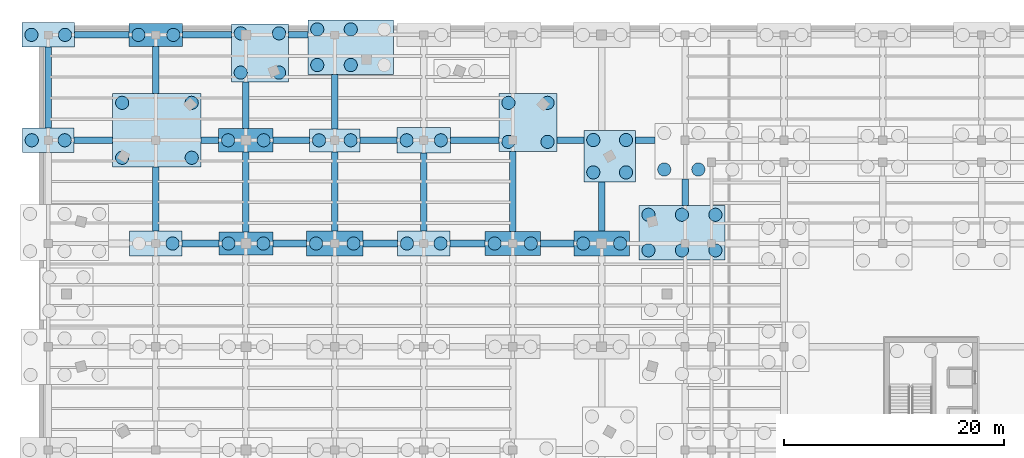
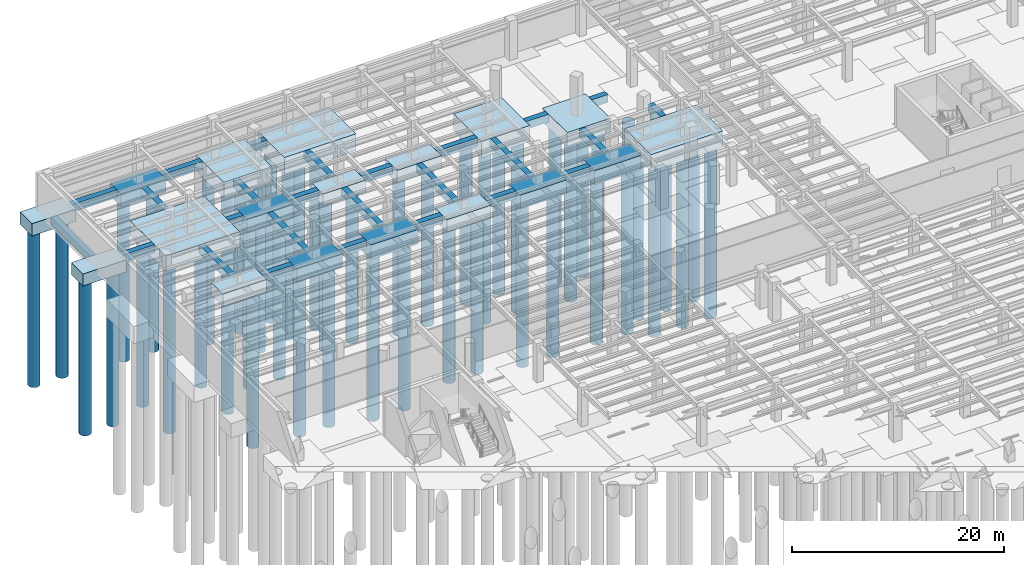
# One storey, part 10 of 49: 51 piles, 44 footings.
"""IFC4 building model written with IfcOpenShell, lengths in metres."""

from ifc_helpers import new_model, si_unit, direction, frame, origin, origin_2d, place, context, subcontext, project, spatial, rectangle, circle, extrude, material, material_profile, profile_set, type_object, element, save


model = new_model("IFC4")

# Units and contexts
model_context = context("Model", 3, precision=1e-05, world=origin(), true_north=direction((0.0, 1.0)))
body_context = subcontext(model_context, "Body", "Model", "MODEL_VIEW")
ifc_project = project(units=[si_unit("LENGTHUNIT", "METRE"), si_unit("AREAUNIT", "SQUARE_METRE"), si_unit("VOLUMEUNIT", "CUBIC_METRE"), si_unit("PLANEANGLEUNIT", "RADIAN"), si_unit("MASSUNIT", "GRAM", prefix="KILO")], contexts=[model_context])

# Site, building, storey
site_placement = place(None, origin())
site = spatial("IfcSite", under=ifc_project, at=site_placement, CompositionType="ELEMENT")
building_placement = place(site_placement, origin())
building = spatial("IfcBuilding", under=site, at=building_placement, Name="Sollismere Congress Hotel", CompositionType="ELEMENT")
storey_placement = place(building_placement, frame((0.0, 0.0, -4.5)))
storey = spatial("IfcBuildingStorey", under=building, at=storey_placement, Name="B1", CompositionType="ELEMENT", Elevation=-4.5)

# Footings
ifc_material = material(Name="Concrete C40/50", Category="concrete")
footing_type_1 = type_object("IfcFootingType", Name="FT-GB600", PredefinedType="FOOTING_BEAM", material=ifc_material)
footing_1_placement = place(storey_placement, frame((13.8701171875, 95.0, -0.89990234375), z_axis=(0.0, 0.0, 1.0), x_axis=(1.0, 0.0, 0.0)))
element("IfcFooting", 1, at=footing_1_placement, inside=storey, type_object=footing_type_1, Name="FTG-GB-165", PredefinedType="FOOTING_BEAM", context=body_context, shape_type="SweptSolid", body=[
    extrude(rectangle(XDim=3.360107421875, YDim=0.60009765625, at=origin_2d()), origin(), (0.0, 0.0, 1.0), 0.89990234375),
])
footing_2_placement = place(storey_placement, frame((21.989990234375, 95.0, -0.89990234375), z_axis=(0.0, 0.0, 1.0), x_axis=(1.0, 0.0, 0.0)))
element("IfcFooting", 2, at=footing_2_placement, inside=storey, type_object=footing_type_1, Name="FTG-GB-166", PredefinedType="FOOTING_BEAM", context=body_context, shape_type="SweptSolid", body=[
    extrude(rectangle(XDim=3.080078125, YDim=0.60009765625, at=origin_2d()), origin(), (0.0, 0.0, 1.0), 0.89990234375),
])
footing_3_placement = place(storey_placement, frame((30.239990234375, 95.0, -0.89990234375), z_axis=(0.0, 0.0, 1.0), x_axis=(1.0, 0.0, 0.0)))
element("IfcFooting", 3, at=footing_3_placement, inside=storey, type_object=footing_type_1, Name="FTG-GB-167", PredefinedType="FOOTING_BEAM", context=body_context, shape_type="SweptSolid", body=[
    extrude(rectangle(XDim=3.139892578125, YDim=0.60009765625, at=origin_2d()), origin(), (0.0, 0.0, 1.0), 0.89990234375),
])
footing_4_placement = place(storey_placement, frame((38.18994140625, 95.0, -0.89990234375), z_axis=(0.0, 0.0, 1.0), x_axis=(1.0, 0.0, 0.0)))
element("IfcFooting", 4, at=footing_4_placement, inside=storey, type_object=footing_type_1, Name="FTG-GB-168", PredefinedType="FOOTING_BEAM", context=body_context, shape_type="SweptSolid", body=[
    extrude(rectangle(XDim=3.199951171875, YDim=0.60009765625, at=origin_2d()), origin(), (0.0, 0.0, 1.0), 0.89990234375),
])
footing_5_placement = place(storey_placement, frame((46.3349609375, 95.0, -0.89990234375), z_axis=(0.0, 0.0, 1.0), x_axis=(1.0, 0.0, 0.0)))
element("IfcFooting", 5, at=footing_5_placement, inside=storey, type_object=footing_type_1, Name="FTG-GB-169", PredefinedType="FOOTING_BEAM", context=body_context, shape_type="SweptSolid", body=[
    extrude(rectangle(XDim=3.050048828125, YDim=0.60009765625, at=origin_2d()), origin(), (0.0, 0.0, 1.0), 0.89990234375),
])
footing_6_placement = place(storey_placement, frame((4.11669921875, 104.39990234375, -0.89990234375), z_axis=(0.0, 0.0, 1.0), x_axis=(1.0, 0.0, 0.0)))
element("IfcFooting", 6, at=footing_6_placement, inside=storey, type_object=footing_type_1, Name="FTG-GB-181", PredefinedType="FOOTING_BEAM", context=body_context, shape_type="SweptSolid", body=[
    extrude(rectangle(XDim=3.51318359375, YDim=0.60009765625, at=origin_2d()), origin(), (0.0, 0.0, 1.0), 0.89990234375),
])
footing_7_placement = place(storey_placement, frame((14.72216796875, 104.39990234375, -0.89990234375), z_axis=(0.0, 0.0, 1.0), x_axis=(1.0, 0.0, 0.0)))
element("IfcFooting", 7, at=footing_7_placement, inside=storey, type_object=footing_type_1, Name="FTG-GB-182", PredefinedType="FOOTING_BEAM", context=body_context, shape_type="SweptSolid", body=[
    extrude(rectangle(XDim=1.595703125, YDim=0.60009765625, at=origin_2d()), origin(), (0.0, 0.0, 1.0), 0.89990234375),
])
footing_8_placement = place(storey_placement, frame((22.139892578125, 104.39990234375, -0.89990234375), z_axis=(0.0, 0.0, 1.0), x_axis=(1.0, 0.0, 0.0)))
element("IfcFooting", 8, at=footing_8_placement, inside=storey, type_object=footing_type_1, Name="FTG-GB-183", PredefinedType="FOOTING_BEAM", context=body_context, shape_type="SweptSolid", body=[
    extrude(rectangle(XDim=3.320068359375, YDim=0.60009765625, at=origin_2d()), origin(), (0.0, 0.0, 1.0), 0.89990234375),
])
footing_9_placement = place(storey_placement, frame((30.090087890625, 104.39990234375, -0.89990234375), z_axis=(0.0, 0.0, 1.0), x_axis=(1.0, 0.0, 0.0)))
element("IfcFooting", 9, at=footing_9_placement, inside=storey, type_object=footing_type_1, Name="FTG-GB-184", PredefinedType="FOOTING_BEAM", context=body_context, shape_type="SweptSolid", body=[
    extrude(rectangle(XDim=3.3798828125, YDim=0.60009765625, at=origin_2d()), origin(), (0.0, 0.0, 1.0), 0.89990234375),
])
footing_10_placement = place(storey_placement, frame((38.833984375, 104.39990234375, -0.89990234375), z_axis=(0.0, 0.0, 1.0), x_axis=(1.0, 0.0, 0.0)))
element("IfcFooting", 10, at=footing_10_placement, inside=storey, type_object=footing_type_1, Name="FTG-GB-185", PredefinedType="FOOTING_BEAM", context=body_context, shape_type="SweptSolid", body=[
    extrude(rectangle(XDim=4.427978515625, YDim=0.60009765625, at=origin_2d()), origin(), (0.0, 0.0, 1.0), 0.89990234375),
])
footing_11_placement = place(storey_placement, frame((47.55224609375, 104.39990234375, -0.89990234375), z_axis=(0.0, 0.0, 1.0), x_axis=(1.0, 0.0, 0.0)))
element("IfcFooting", 11, at=footing_11_placement, inside=storey, type_object=footing_type_1, Name="FTG-GB-186", PredefinedType="FOOTING_BEAM", context=body_context, shape_type="SweptSolid", body=[
    extrude(rectangle(XDim=2.448486328125, YDim=0.60009765625, at=origin_2d()), origin(), (0.0, 0.0, 1.0), 0.89990234375),
])
footing_12_placement = place(storey_placement, frame((54.3583984375, 104.39990234375, -0.89990234375), z_axis=(0.0, 0.0, 1.0), x_axis=(1.0, 0.0, 0.0)))
element("IfcFooting", 12, at=footing_12_placement, inside=storey, type_object=footing_type_1, Name="FTG-GB-187", PredefinedType="FOOTING_BEAM", context=body_context, shape_type="SweptSolid", body=[
    extrude(rectangle(XDim=1.763427734375, YDim=0.60009765625, at=origin_2d()), origin(), (0.0, 0.0, 1.0), 0.89990234375),
])
footing_13_placement = place(storey_placement, frame((4.8701171875, 114.0, -0.89990234375), z_axis=(0.0, 0.0, 1.0), x_axis=(1.0, 0.0, 0.0)))
element("IfcFooting", 13, at=footing_13_placement, inside=storey, type_object=footing_type_1, Name="FTG-GB-199", PredefinedType="FOOTING_BEAM", context=body_context, shape_type="SweptSolid", body=[
    extrude(rectangle(XDim=4.9599609375, YDim=0.60009765625, at=origin_2d()), origin(), (0.0, 0.0, 1.0), 0.89990234375),
])
footing_14_placement = place(storey_placement, frame((14.459716796875, 114.0, -0.89990234375), z_axis=(0.0, 0.0, 1.0), x_axis=(1.0, 0.0, 0.0)))
element("IfcFooting", 14, at=footing_14_placement, inside=storey, type_object=footing_type_1, Name="FTG-GB-200", PredefinedType="FOOTING_BEAM", context=body_context, shape_type="SweptSolid", body=[
    extrude(rectangle(XDim=4.419189453125, YDim=0.60009765625, at=origin_2d()), origin(), (0.0, 0.0, 1.0), 0.89990234375),
])
footing_15_placement = place(storey_placement, frame((22.759521484375, 114.0, -0.89990234375), z_axis=(0.0, 0.0, 1.0), x_axis=(1.0, 0.0, 0.0)))
element("IfcFooting", 15, at=footing_15_placement, inside=storey, type_object=footing_type_1, Name="FTG-GB-201", PredefinedType="FOOTING_BEAM", context=body_context, shape_type="SweptSolid", body=[
    extrude(rectangle(XDim=1.7607421875, YDim=0.60009765625, at=origin_2d()), origin(), (0.0, 0.0, 1.0), 0.89990234375),
])
footing_16_placement = place(storey_placement, frame((0.0, 109.1875, -0.89990234375), z_axis=(0.0, 0.0, 1.0), x_axis=(0.0, 1.0, 0.0)))
element("IfcFooting", 16, at=footing_16_placement, inside=storey, type_object=footing_type_1, Name="FTG-GB-227", PredefinedType="FOOTING_BEAM", context=body_context, shape_type="SweptSolid", body=[
    extrude(rectangle(XDim=7.375, YDim=0.60009765625, at=origin_2d()), origin(), (0.0, 0.0, 1.0), 0.89990234375),
])
footing_17_placement = place(storey_placement, frame((9.800048828125, 99.037109375, -0.89990234375), z_axis=(0.0, 0.0, 1.0), x_axis=(0.0, 1.0, 0.0)))
element("IfcFooting", 17, at=footing_17_placement, inside=storey, type_object=footing_type_1, Name="FTG-GB-237", PredefinedType="FOOTING_BEAM", context=body_context, shape_type="SweptSolid", body=[
    extrude(rectangle(XDim=5.824462890625, YDim=0.60009765625, at=origin_2d()), origin(), (0.0, 0.0, 1.0), 0.89990234375),
])
footing_18_placement = place(storey_placement, frame((9.800048828125, 110.811279296875, -0.89990234375), z_axis=(0.0, 0.0, 1.0), x_axis=(0.0, 1.0, 0.0)))
element("IfcFooting", 18, at=footing_18_placement, inside=storey, type_object=footing_type_1, Name="FTG-GB-238", PredefinedType="FOOTING_BEAM", context=body_context, shape_type="SweptSolid", body=[
    extrude(rectangle(XDim=4.277587890625, YDim=0.60009765625, at=origin_2d()), origin(), (0.0, 0.0, 1.0), 0.89990234375),
])
footing_19_placement = place(storey_placement, frame((18.0, 99.6875, -0.89990234375), z_axis=(0.0, 0.0, 1.0), x_axis=(0.0, 1.0, 0.0)))
element("IfcFooting", 19, at=footing_19_placement, inside=storey, type_object=footing_type_1, Name="FTG-GB-249", PredefinedType="FOOTING_BEAM", context=body_context, shape_type="SweptSolid", body=[
    extrude(rectangle(XDim=7.27490234375, YDim=0.60009765625, at=origin_2d()), origin(), (0.0, 0.0, 1.0), 0.89990234375),
])
footing_20_placement = place(storey_placement, frame((18.0, 107.590087890625, -0.89990234375), z_axis=(0.0, 0.0, 1.0), x_axis=(0.0, 1.0, 0.0)))
element("IfcFooting", 20, at=footing_20_placement, inside=storey, type_object=footing_type_1, Name="FTG-GB-250", PredefinedType="FOOTING_BEAM", context=body_context, shape_type="SweptSolid", body=[
    extrude(rectangle(XDim=4.22998046875, YDim=0.60009765625, at=origin_2d()), origin(), (0.0, 0.0, 1.0), 0.89990234375),
])
footing_21_placement = place(storey_placement, frame((26.10009765625, 99.75, -0.89990234375), z_axis=(0.0, 0.0, 1.0), x_axis=(0.0, 1.0, 0.0)))
element("IfcFooting", 21, at=footing_21_placement, inside=storey, type_object=footing_type_1, Name="FTG-GB-262", PredefinedType="FOOTING_BEAM", context=body_context, shape_type="SweptSolid", body=[
    extrude(rectangle(XDim=7.199951171875, YDim=0.60009765625, at=origin_2d()), origin(), (0.0, 0.0, 1.0), 0.89990234375),
])
footing_22_placement = place(storey_placement, frame((26.10009765625, 107.922607421875, -0.89990234375), z_axis=(0.0, 0.0, 1.0), x_axis=(0.0, 1.0, 0.0)))
element("IfcFooting", 22, at=footing_22_placement, inside=storey, type_object=footing_type_1, Name="FTG-GB-263", PredefinedType="FOOTING_BEAM", context=body_context, shape_type="SweptSolid", body=[
    extrude(rectangle(XDim=4.945068359375, YDim=0.60009765625, at=origin_2d()), origin(), (0.0, 0.0, 1.0), 0.89990234375),
])
footing_23_placement = place(storey_placement, frame((34.199951171875, 99.6875, -0.89990234375), z_axis=(0.0, 0.0, 1.0), x_axis=(0.0, 1.0, 0.0)))
element("IfcFooting", 23, at=footing_23_placement, inside=storey, type_object=footing_type_1, Name="FTG-GB-275", PredefinedType="FOOTING_BEAM", context=body_context, shape_type="SweptSolid", body=[
    extrude(rectangle(XDim=7.125, YDim=0.60009765625, at=origin_2d()), origin(), (0.0, 0.0, 1.0), 0.89990234375),
])
footing_24_placement = place(storey_placement, frame((42.300048828125, 99.75, -0.89990234375), z_axis=(0.0, 0.0, 1.0), x_axis=(0.0, 1.0, 0.0)))
element("IfcFooting", 24, at=footing_24_placement, inside=storey, type_object=footing_type_1, Name="FTG-GB-288", PredefinedType="FOOTING_BEAM", context=body_context, shape_type="SweptSolid", body=[
    extrude(rectangle(XDim=7.30029296875, YDim=0.60009765625, at=origin_2d()), origin(), (0.0, 0.0, 1.0), 0.89990234375),
])
footing_25_placement = place(storey_placement, frame((50.39990234375, 98.36962890625, -0.89990234375), z_axis=(0.0, 0.0, 1.0), x_axis=(0.0, 1.0, 0.0)))
element("IfcFooting", 25, at=footing_25_placement, inside=storey, type_object=footing_type_1, Name="FTG-GB-300", PredefinedType="FOOTING_BEAM", context=body_context, shape_type="SweptSolid", body=[
    extrude(rectangle(XDim=4.4892578125, YDim=0.60009765625, at=origin_2d()), origin(), (0.0, 0.0, 1.0), 0.89990234375),
])
footing_26_placement = place(storey_placement, frame((58.0, 99.679443359375, -0.89990234375), z_axis=(0.0, 0.0, 1.0), x_axis=(0.0, 1.0, 0.0)))
element("IfcFooting", 26, at=footing_26_placement, inside=storey, type_object=footing_type_1, Name="FTG-GB-311", PredefinedType="FOOTING_BEAM", context=body_context, shape_type="SweptSolid", body=[
    extrude(rectangle(XDim=2.401123046875, YDim=0.60009765625, at=origin_2d()), origin(), (0.0, 0.0, 1.0), 0.89990234375),
])
footing_type_2 = type_object("IfcFootingType", Name="FT-PC2-01", PredefinedType="PILE_CAP", material=ifc_material)
footing_27_placement = place(storey_placement, frame((26.10009765625, 104.39990234375, -1.2998046875), z_axis=(0.0, 0.0, 1.0), x_axis=(1.0, 0.0, 0.0)))
element("IfcFooting", 27, at=footing_27_placement, inside=storey, type_object=footing_type_2, Name="Reinforced concrete pile cap PC-051", PredefinedType="PILE_CAP", context=body_context, shape_type="SweptSolid", body=[
    extrude(rectangle(XDim=4.60009765625, YDim=2.10009765625, at=origin_2d()), origin(), (0.0, 0.0, 1.0), 1.300048828125),
])
footing_type_3 = type_object("IfcFootingType", Name="FT-PC2-03", PredefinedType="PILE_CAP", material=ifc_material)
footing_28_placement = place(storey_placement, frame((0.0, 104.39990234375, -1.3798828125), z_axis=(0.0, 0.0, 1.0), x_axis=(1.0, 0.0, 0.0)))
element("IfcFooting", 28, at=footing_28_placement, inside=storey, type_object=footing_type_3, Name="Reinforced concrete pile cap PC-013", PredefinedType="PILE_CAP", context=body_context, shape_type="SweptSolid", body=[
    extrude(rectangle(XDim=4.719970703125, YDim=2.199951171875, at=origin_2d()), origin(), (0.0, 0.0, 1.0), 1.3798828125),
])
footing_type_4 = type_object("IfcFootingType", Name="FT-PC2-04", PredefinedType="PILE_CAP", material=ifc_material)
for number, where, z_axis, x_axis, name in (
    (29, (0.0, 114.0, -1.419921875), (0.0, 0.0, 1.0), (1.0, 0.0, 0.0), "Reinforced concrete pile cap PC-014"),
    (30, (9.800048828125, 95.0, -1.419921875), (0.0, 0.0, 1.0), (1.0, 0.0, 0.0), "Reinforced concrete pile cap PC-024"),
    (31, (34.199951171875, 95.0, -1.419921875), (0.0, 0.0, 1.0), (1.0, 0.0, 0.0), "Reinforced concrete pile cap PC-064"),
):
    element("IfcFooting", number, at=place(storey_placement, frame(where, z_axis=z_axis, x_axis=x_axis)), inside=storey, type_object=footing_type_4, Name=name, PredefinedType="PILE_CAP", context=body_context, shape_type="SweptSolid", body=[
        extrude(rectangle(XDim=4.780029296875, YDim=2.25, at=origin_2d()), origin(), (0.0, 0.0, 1.0), 1.419921875),
    ])
footing_type_5 = type_object("IfcFootingType", Name="FT-PC2-05", PredefinedType="PILE_CAP", material=ifc_material)
footing_29_placement = place(storey_placement, frame((34.199951171875, 104.39990234375, -1.4599609375), z_axis=(0.0, 0.0, 1.0), x_axis=(1.0, 0.0, 0.0)))
element("IfcFooting", 32, at=footing_29_placement, inside=storey, type_object=footing_type_5, Name="Reinforced concrete pile cap PC-065", PredefinedType="PILE_CAP", context=body_context, shape_type="SweptSolid", body=[
    extrude(rectangle(XDim=4.840087890625, YDim=2.300048828125, at=origin_2d()), origin(), (0.0, 0.0, 1.0), 1.4599609375),
])
footing_type_6 = type_object("IfcFootingType", Name="FT-PC2-06", PredefinedType="PILE_CAP", material=ifc_material)
for number, where, z_axis, x_axis, name in (
    (33, (9.800048828125, 114.0, -1.5), (0.0, 0.0, 1.0), (1.0, 0.0, 0.0), "Reinforced concrete pile cap PC-026"),
    (34, (18.0, 95.0, -1.5), (0.0, 0.0, 1.0), (1.0, 0.0, 0.0), "Reinforced concrete pile cap PC-036"),
):
    element("IfcFooting", number, at=place(storey_placement, frame(where, z_axis=z_axis, x_axis=x_axis)), inside=storey, type_object=footing_type_6, Name=name, PredefinedType="PILE_CAP", context=body_context, shape_type="SweptSolid", body=[
        extrude(rectangle(XDim=4.89990234375, YDim=2.10009765625, at=origin_2d()), origin(), (0.0, 0.0, 1.0), 1.5),
    ])
footing_type_7 = type_object("IfcFootingType", Name="FT-PC2-07", PredefinedType="PILE_CAP", material=ifc_material)
footing_30_placement = place(storey_placement, frame((18.0, 104.39990234375, -1.5400390625), z_axis=(0.0, 0.0, 1.0), x_axis=(1.0, 0.0, 0.0)))
element("IfcFooting", 35, at=footing_30_placement, inside=storey, type_object=footing_type_7, Name="Reinforced concrete pile cap PC-037", PredefinedType="PILE_CAP", context=body_context, shape_type="SweptSolid", body=[
    extrude(rectangle(XDim=4.9599609375, YDim=2.14990234375, at=origin_2d()), origin(), (0.0, 0.0, 1.0), 1.5400390625),
])
footing_type_8 = type_object("IfcFootingType", Name="FT-PC2-08", PredefinedType="PILE_CAP", material=ifc_material)
footing_31_placement = place(storey_placement, frame((42.300048828125, 95.0, -1.580078125), z_axis=(0.0, 0.0, 1.0), x_axis=(1.0, 0.0, 0.0)))
element("IfcFooting", 36, at=footing_31_placement, inside=storey, type_object=footing_type_8, Name="Reinforced concrete pile cap PC-078", PredefinedType="PILE_CAP", context=body_context, shape_type="SweptSolid", body=[
    extrude(rectangle(XDim=5.02001953125, YDim=2.199951171875, at=origin_2d()), origin(), (0.0, 0.0, 1.0), 1.580078125),
])
footing_type_9 = type_object("IfcFootingType", Name="FT-PC2-09", PredefinedType="PILE_CAP", material=ifc_material)
footing_32_placement = place(storey_placement, frame((50.39990234375, 95.0, -1.6201171875), z_axis=(0.0, 0.0, 1.0), x_axis=(1.0, 0.0, 0.0)))
element("IfcFooting", 37, at=footing_32_placement, inside=storey, type_object=footing_type_9, Name="Reinforced concrete pile cap PC-089", PredefinedType="PILE_CAP", context=body_context, shape_type="SweptSolid", body=[
    extrude(rectangle(XDim=5.080078125, YDim=2.25, at=origin_2d()), origin(), (0.0, 0.0, 1.0), 1.6201171875),
])
footing_type_10 = type_object("IfcFootingType", Name="FT-PC2-10", PredefinedType="PILE_CAP", material=ifc_material)
footing_33_placement = place(storey_placement, frame((26.10009765625, 95.0, -1.66015625), z_axis=(0.0, 0.0, 1.0), x_axis=(1.0, 0.0, 0.0)))
element("IfcFooting", 38, at=footing_33_placement, inside=storey, type_object=footing_type_10, Name="Reinforced concrete pile cap PC-050", PredefinedType="PILE_CAP", context=body_context, shape_type="SweptSolid", body=[
    extrude(rectangle(XDim=5.139892578125, YDim=2.300048828125, at=origin_2d()), origin(), (0.0, 0.0, 1.0), 1.659912109375),
])
footing_type_11 = type_object("IfcFootingType", Name="FT-PC4-04", PredefinedType="PILE_CAP", material=ifc_material)
footing_34_placement = place(storey_placement, frame((51.126708984375, 102.94921875, -1.56982421875), z_axis=(0.0, 0.0, 1.0), x_axis=(1.0, 0.0, 0.0)))
element("IfcFooting", 39, at=footing_34_placement, inside=storey, type_object=footing_type_11, Name="Reinforced concrete pile cap PC-242", PredefinedType="PILE_CAP", context=body_context, shape_type="SweptSolid", body=[
    extrude(rectangle(XDim=4.699951171875, YDim=4.669921875, at=origin_2d()), origin(), (0.0, 0.0, 1.0), 1.570068359375),
])
footing_type_12 = type_object("IfcFootingType", Name="FT-PC6-04", PredefinedType="PILE_CAP", material=ifc_material)
for number, where, z_axis, x_axis, name in (
    (40, (27.550048828125, 112.875, -1.89990234375), (0.0, 0.0, 1.0), (1.0, 0.0, 0.0), "Reinforced concrete pile cap PC-052"),
    (41, (57.705810546875, 95.998779296875, -1.89990234375), (0.0, 0.0, 1.0), (1.0, 0.0, 0.0), "Reinforced concrete pile cap PC-100"),
):
    element("IfcFooting", number, at=place(storey_placement, frame(where, z_axis=z_axis, x_axis=x_axis)), inside=storey, type_object=footing_type_12, Name=name, PredefinedType="PILE_CAP", context=body_context, shape_type="SweptSolid", body=[
        extrude(rectangle(XDim=7.820068359375, YDim=4.9599609375, at=origin_2d()), origin(), (0.0, 0.0, 1.0), 1.89990234375),
    ])
footing_type_13 = type_object("IfcFootingType", Name="FT-PCM-25", PredefinedType="PILE_CAP", material=ifc_material)
footing_35_placement = place(storey_placement, frame((9.898681640625, 105.310791015625, -1.75), z_axis=(0.0, 0.0, 1.0), x_axis=(1.0, 0.0, 0.0)))
element("IfcFooting", 42, at=footing_35_placement, inside=storey, type_object=footing_type_13, Name="Reinforced concrete pile cap PC-025", PredefinedType="PILE_CAP", context=body_context, shape_type="SweptSolid", body=[
    extrude(rectangle(XDim=8.051025390625, YDim=6.722900390625, at=origin_2d()), origin(), (0.0, 0.0, 1.0), 1.75),
])
footing_type_14 = type_object("IfcFootingType", Name="FT-PCM-38", PredefinedType="PILE_CAP", material=ifc_material)
footing_36_placement = place(storey_placement, frame((19.274169921875, 112.3525390625, -1.830078125), z_axis=(0.0, 0.0, 1.0), x_axis=(1.0, 0.0, 0.0)))
element("IfcFooting", 43, at=footing_36_placement, inside=storey, type_object=footing_type_14, Name="Reinforced concrete pile cap PC-038", PredefinedType="PILE_CAP", context=body_context, shape_type="SweptSolid", body=[
    extrude(rectangle(XDim=5.2099609375, YDim=5.294921875, at=origin_2d()), origin(), (0.0, 0.0, 1.0), 1.830078125),
])
footing_type_15 = type_object("IfcFootingType", Name="FT-PCM-79", PredefinedType="PILE_CAP", material=ifc_material)
footing_37_placement = place(storey_placement, frame((43.68798828125, 106.0361328125, -1.8701171875), z_axis=(0.0, 0.0, 1.0), x_axis=(1.0, 0.0, 0.0)))
element("IfcFooting", 44, at=footing_37_placement, inside=storey, type_object=footing_type_15, Name="Reinforced concrete pile cap PC-079", PredefinedType="PILE_CAP", context=body_context, shape_type="SweptSolid", body=[
    extrude(rectangle(XDim=5.280029296875, YDim=5.27197265625, at=origin_2d()), origin(), (0.0, 0.0, 1.0), 1.8701171875),
])

# Piles
ifc_material_profile = material_profile(ifc_material, circle(Radius=0.60009765625, at=origin_2d()), Name="CAISSON1200")
ifc_profile_set = profile_set([ifc_material_profile], Name="Concrete C40/50")
pile_type = type_object("IfcPileType", Name="PL-CS1200", PredefinedType="BORED", material=ifc_profile_set)
for number, where, z_axis, x_axis, name in (
    (45, (-1.5, 104.39990234375, -1.280029296875), (0.0, 0.0, -1.0), (1.0, 0.0, 0.0), "Bored rock-socketed caisson PL-045"),
    (46, (1.5, 104.39990234375, -1.280029296875), (0.0, 0.0, -1.0), (1.0, 0.0, 0.0), "Bored rock-socketed caisson PL-046"),
):
    element("IfcPile", number, at=place(storey_placement, frame(where, z_axis=z_axis, x_axis=x_axis)), inside=storey, type_object=pile_type, Name=name, PredefinedType="BORED", context=body_context, shape_type="SweptSolid", body=[
        extrude(circle(Radius=0.60009765625, at=origin_2d()), origin(), (0.0, 0.0, 1.0), 17.89990234375),
    ])
for number, where, z_axis, x_axis, name in (
    (47, (-1.530029296875, 114.0, -1.320068359375), (0.0, 0.0, -1.0), (1.0, 0.0, 0.0), "Bored rock-socketed caisson PL-047"),
    (48, (1.530029296875, 114.0, -1.320068359375), (0.0, 0.0, -1.0), (1.0, 0.0, 0.0), "Bored rock-socketed caisson PL-048"),
    (49, (11.330078125, 95.0, -1.320068359375), (0.0, 0.0, -1.0), (1.0, 0.0, 0.0), "Bored rock-socketed caisson PL-078"),
):
    element("IfcPile", number, at=place(storey_placement, frame(where, z_axis=z_axis, x_axis=x_axis)), inside=storey, type_object=pile_type, Name=name, PredefinedType="BORED", context=body_context, shape_type="SweptSolid", body=[
        extrude(circle(Radius=0.60009765625, at=origin_2d()), origin(), (0.0, 0.0, 1.0), 18.10009765625),
    ])
for number, where, z_axis, x_axis, name in (
    (50, (6.732666015625, 102.808837890625, -1.64990234375), (0.0, 0.0, -1.0), (1.0, 0.0, 0.0), "Bored rock-socketed caisson PL-079"),
    (51, (13.064697265625, 102.808837890625, -1.64990234375), (0.0, 0.0, -1.0), (1.0, 0.0, 0.0), "Bored rock-socketed caisson PL-080"),
    (52, (6.732666015625, 107.81298828125, -1.64990234375), (0.0, 0.0, -1.0), (1.0, 0.0, 0.0), "Bored rock-socketed caisson PL-081"),
    (53, (13.064697265625, 107.81298828125, -1.64990234375), (0.0, 0.0, -1.0), (1.0, 0.0, 0.0), "Bored rock-socketed caisson PL-082"),
):
    element("IfcPile", number, at=place(storey_placement, frame(where, z_axis=z_axis, x_axis=x_axis)), inside=storey, type_object=pile_type, Name=name, PredefinedType="BORED", context=body_context, shape_type="SweptSolid", body=[
        extrude(circle(Radius=0.60009765625, at=origin_2d()), origin(), (0.0, 0.0, 1.0), 19.199951171875),
    ])
for number, where, z_axis, x_axis, name in (
    (54, (8.2099609375, 114.0, -1.39990234375), (0.0, 0.0, -1.0), (1.0, 0.0, 0.0), "Bored rock-socketed caisson PL-083"),
    (55, (11.389892578125, 114.0, -1.39990234375), (0.0, 0.0, -1.0), (1.0, 0.0, 0.0), "Bored rock-socketed caisson PL-084"),
    (56, (16.409912109375, 95.0, -1.39990234375), (0.0, 0.0, -1.0), (1.0, 0.0, 0.0), "Bored rock-socketed caisson PL-111"),
    (57, (19.590087890625, 95.0, -1.39990234375), (0.0, 0.0, -1.0), (1.0, 0.0, 0.0), "Bored rock-socketed caisson PL-112"),
):
    element("IfcPile", number, at=place(storey_placement, frame(where, z_axis=z_axis, x_axis=x_axis)), inside=storey, type_object=pile_type, Name=name, PredefinedType="BORED", context=body_context, shape_type="SweptSolid", body=[
        extrude(circle(Radius=0.60009765625, at=origin_2d()), origin(), (0.0, 0.0, 1.0), 18.5),
    ])
for number, where, z_axis, x_axis, name in (
    (58, (16.3798828125, 104.39990234375, -1.43994140625), (0.0, 0.0, -1.0), (1.0, 0.0, 0.0), "Bored rock-socketed caisson PL-113"),
    (59, (19.6201171875, 104.39990234375, -1.43994140625), (0.0, 0.0, -1.0), (1.0, 0.0, 0.0), "Bored rock-socketed caisson PL-114"),
):
    element("IfcPile", number, at=place(storey_placement, frame(where, z_axis=z_axis, x_axis=x_axis)), inside=storey, type_object=pile_type, Name=name, PredefinedType="BORED", context=body_context, shape_type="SweptSolid", body=[
        extrude(circle(Radius=0.60009765625, at=origin_2d()), origin(), (0.0, 0.0, 1.0), 18.699951171875),
    ])
for number, where, z_axis, x_axis, name in (
    (60, (17.529296875, 110.564697265625, -1.72998046875), (0.0, 0.0, -1.0), (1.0, 0.0, 0.0), "Bored rock-socketed caisson PL-115"),
    (61, (21.019287109375, 110.564697265625, -1.72998046875), (0.0, 0.0, -1.0), (1.0, 0.0, 0.0), "Bored rock-socketed caisson PL-116"),
    (62, (17.529296875, 114.140625, -1.72998046875), (0.0, 0.0, -1.0), (1.0, 0.0, 0.0), "Bored rock-socketed caisson PL-117"),
    (63, (21.019287109375, 114.140625, -1.72998046875), (0.0, 0.0, -1.0), (1.0, 0.0, 0.0), "Bored rock-socketed caisson PL-118"),
):
    element("IfcPile", number, at=place(storey_placement, frame(where, z_axis=z_axis, x_axis=x_axis)), inside=storey, type_object=pile_type, Name=name, PredefinedType="BORED", context=body_context, shape_type="SweptSolid", body=[
        extrude(circle(Radius=0.60009765625, at=origin_2d()), origin(), (0.0, 0.0, 1.0), 19.550048828125),
    ])
for number, where, z_axis, x_axis, name in (
    (64, (24.389892578125, 95.0, -1.56005859375), (0.0, 0.0, -1.0), (1.0, 0.0, 0.0), "Bored rock-socketed caisson PL-145"),
    (65, (27.81005859375, 95.0, -1.56005859375), (0.0, 0.0, -1.0), (1.0, 0.0, 0.0), "Bored rock-socketed caisson PL-146"),
):
    element("IfcPile", number, at=place(storey_placement, frame(where, z_axis=z_axis, x_axis=x_axis)), inside=storey, type_object=pile_type, Name=name, PredefinedType="BORED", context=body_context, shape_type="SweptSolid", body=[
        extrude(circle(Radius=0.60009765625, at=origin_2d()), origin(), (0.0, 0.0, 1.0), 19.300048828125),
    ])
for number, where, z_axis, x_axis, name in (
    (66, (24.659912109375, 104.39990234375, -1.199951171875), (0.0, 0.0, -1.0), (1.0, 0.0, 0.0), "Bored rock-socketed caisson PL-147"),
    (67, (27.5400390625, 104.39990234375, -1.199951171875), (0.0, 0.0, -1.0), (1.0, 0.0, 0.0), "Bored rock-socketed caisson PL-148"),
):
    element("IfcPile", number, at=place(storey_placement, frame(where, z_axis=z_axis, x_axis=x_axis)), inside=storey, type_object=pile_type, Name=name, PredefinedType="BORED", context=body_context, shape_type="SweptSolid", body=[
        extrude(circle(Radius=0.60009765625, at=origin_2d()), origin(), (0.0, 0.0, 1.0), 17.5),
    ])
for number, where, z_axis, x_axis, name in (
    (68, (24.5, 111.2548828125, -1.800048828125), (0.0, 0.0, -1.0), (1.0, 0.0, 0.0), "Bored rock-socketed caisson PL-149"),
    (69, (27.550048828125, 111.2548828125, -1.800048828125), (0.0, 0.0, -1.0), (1.0, 0.0, 0.0), "Bored rock-socketed caisson PL-150"),
    (70, (24.5, 114.4951171875, -1.800048828125), (0.0, 0.0, -1.0), (1.0, 0.0, 0.0), "Bored rock-socketed caisson PL-152"),
    (71, (27.550048828125, 114.4951171875, -1.800048828125), (0.0, 0.0, -1.0), (1.0, 0.0, 0.0), "Bored rock-socketed caisson PL-153"),
):
    element("IfcPile", number, at=place(storey_placement, frame(where, z_axis=z_axis, x_axis=x_axis)), inside=storey, type_object=pile_type, Name=name, PredefinedType="BORED", context=body_context, shape_type="SweptSolid", body=[
        extrude(circle(Radius=0.60009765625, at=origin_2d()), origin(), (0.0, 0.0, 1.0), 19.64990234375),
    ])
for number, where, z_axis, x_axis, name in (
    (72, (32.669921875, 95.0, -1.320068359375), (0.0, 0.0, -1.0), (1.0, 0.0, 0.0), "Bored rock-socketed caisson PL-182"),
    (73, (35.72998046875, 95.0, -1.320068359375), (0.0, 0.0, -1.0), (1.0, 0.0, 0.0), "Bored rock-socketed caisson PL-183"),
):
    element("IfcPile", number, at=place(storey_placement, frame(where, z_axis=z_axis, x_axis=x_axis)), inside=storey, type_object=pile_type, Name=name, PredefinedType="BORED", context=body_context, shape_type="SweptSolid", body=[
        extrude(circle(Radius=0.60009765625, at=origin_2d()), origin(), (0.0, 0.0, 1.0), 18.10009765625),
    ])
for number, where, z_axis, x_axis, name in (
    (74, (32.639892578125, 104.39990234375, -1.360107421875), (0.0, 0.0, -1.0), (1.0, 0.0, 0.0), "Bored rock-socketed caisson PL-184"),
    (75, (35.760009765625, 104.39990234375, -1.360107421875), (0.0, 0.0, -1.0), (1.0, 0.0, 0.0), "Bored rock-socketed caisson PL-185"),
):
    element("IfcPile", number, at=place(storey_placement, frame(where, z_axis=z_axis, x_axis=x_axis)), inside=storey, type_object=pile_type, Name=name, PredefinedType="BORED", context=body_context, shape_type="SweptSolid", body=[
        extrude(circle(Radius=0.60009765625, at=origin_2d()), origin(), (0.0, 0.0, 1.0), 18.300048828125),
    ])
for number, where, z_axis, x_axis, name in (
    (76, (40.64990234375, 95.0, -1.47998046875), (0.0, 0.0, -1.0), (1.0, 0.0, 0.0), "Bored rock-socketed caisson PL-217"),
    (77, (43.949951171875, 95.0, -1.47998046875), (0.0, 0.0, -1.0), (1.0, 0.0, 0.0), "Bored rock-socketed caisson PL-218"),
):
    element("IfcPile", number, at=place(storey_placement, frame(where, z_axis=z_axis, x_axis=x_axis)), inside=storey, type_object=pile_type, Name=name, PredefinedType="BORED", context=body_context, shape_type="SweptSolid", body=[
        extrude(circle(Radius=0.60009765625, at=origin_2d()), origin(), (0.0, 0.0, 1.0), 18.89990234375),
    ])
for number, where, z_axis, x_axis, name in (
    (78, (41.907958984375, 104.26025390625, -1.77001953125), (0.0, 0.0, -1.0), (1.0, 0.0, 0.0), "Bored rock-socketed caisson PL-219"),
    (79, (45.468017578125, 104.26025390625, -1.77001953125), (0.0, 0.0, -1.0), (1.0, 0.0, 0.0), "Bored rock-socketed caisson PL-220"),
    (80, (41.907958984375, 107.812255859375, -1.77001953125), (0.0, 0.0, -1.0), (1.0, 0.0, 0.0), "Bored rock-socketed caisson PL-221"),
    (81, (45.468017578125, 107.812255859375, -1.77001953125), (0.0, 0.0, -1.0), (1.0, 0.0, 0.0), "Bored rock-socketed caisson PL-222"),
):
    element("IfcPile", number, at=place(storey_placement, frame(where, z_axis=z_axis, x_axis=x_axis)), inside=storey, type_object=pile_type, Name=name, PredefinedType="BORED", context=body_context, shape_type="SweptSolid", body=[
        extrude(circle(Radius=0.60009765625, at=origin_2d()), origin(), (0.0, 0.0, 1.0), 19.699951171875),
    ])
for number, where, z_axis, x_axis, name in (
    (82, (48.719970703125, 95.0, -1.52001953125), (0.0, 0.0, -1.0), (1.0, 0.0, 0.0), "Bored rock-socketed caisson PL-255"),
    (83, (52.080078125, 95.0, -1.52001953125), (0.0, 0.0, -1.0), (1.0, 0.0, 0.0), "Bored rock-socketed caisson PL-256"),
):
    element("IfcPile", number, at=place(storey_placement, frame(where, z_axis=z_axis, x_axis=x_axis)), inside=storey, type_object=pile_type, Name=name, PredefinedType="BORED", context=body_context, shape_type="SweptSolid", body=[
        extrude(circle(Radius=0.60009765625, at=origin_2d()), origin(), (0.0, 0.0, 1.0), 19.10009765625),
    ])
for number, where, z_axis, x_axis, name in (
    (84, (54.65576171875, 94.37890625, -1.800048828125), (0.0, 0.0, -1.0), (1.0, 0.0, 0.0), "Bored rock-socketed caisson PL-301"),
    (85, (57.705810546875, 94.37890625, -1.800048828125), (0.0, 0.0, -1.0), (1.0, 0.0, 0.0), "Bored rock-socketed caisson PL-302"),
    (86, (60.755615234375, 94.37890625, -1.800048828125), (0.0, 0.0, -1.0), (1.0, 0.0, 0.0), "Bored rock-socketed caisson PL-303"),
    (87, (54.65576171875, 97.618896484375, -1.800048828125), (0.0, 0.0, -1.0), (1.0, 0.0, 0.0), "Bored rock-socketed caisson PL-304"),
    (88, (57.705810546875, 97.618896484375, -1.800048828125), (0.0, 0.0, -1.0), (1.0, 0.0, 0.0), "Bored rock-socketed caisson PL-305"),
    (89, (60.755615234375, 97.618896484375, -1.800048828125), (0.0, 0.0, -1.0), (1.0, 0.0, 0.0), "Bored rock-socketed caisson PL-306"),
):
    element("IfcPile", number, at=place(storey_placement, frame(where, z_axis=z_axis, x_axis=x_axis)), inside=storey, type_object=pile_type, Name=name, PredefinedType="BORED", context=body_context, shape_type="SweptSolid", body=[
        extrude(circle(Radius=0.60009765625, at=origin_2d()), origin(), (0.0, 0.0, 1.0), 19.64990234375),
    ])
for number, where, z_axis, x_axis, name in (
    (90, (56.10009765625, 101.739990234375, -1.85009765625), (0.0, 0.0, -1.0), (1.0, 0.0, 0.0), "Bored rock-socketed caisson PL-307"),
    (91, (59.199951171875, 101.739990234375, -1.85009765625), (0.0, 0.0, -1.0), (1.0, 0.0, 0.0), "Bored rock-socketed caisson PL-308"),
):
    element("IfcPile", number, at=place(storey_placement, frame(where, z_axis=z_axis, x_axis=x_axis)), inside=storey, type_object=pile_type, Name=name, PredefinedType="BORED", context=body_context, shape_type="SweptSolid", body=[
        extrude(circle(Radius=0.60009765625, at=origin_2d()), origin(), (0.0, 0.0, 1.0), 19.800048828125),
    ])
for number, where, z_axis, x_axis, name in (
    (92, (49.63671875, 101.47412109375, -1.469970703125), (0.0, 0.0, -1.0), (1.0, 0.0, 0.0), "Bored rock-socketed caisson PL-797"),
    (93, (52.61669921875, 101.47412109375, -1.469970703125), (0.0, 0.0, -1.0), (1.0, 0.0, 0.0), "Bored rock-socketed caisson PL-798"),
    (94, (49.63671875, 104.42431640625, -1.469970703125), (0.0, 0.0, -1.0), (1.0, 0.0, 0.0), "Bored rock-socketed caisson PL-799"),
    (95, (52.61669921875, 104.42431640625, -1.469970703125), (0.0, 0.0, -1.0), (1.0, 0.0, 0.0), "Bored rock-socketed caisson PL-800"),
):
    element("IfcPile", number, at=place(storey_placement, frame(where, z_axis=z_axis, x_axis=x_axis)), inside=storey, type_object=pile_type, Name=name, PredefinedType="BORED", context=body_context, shape_type="SweptSolid", body=[
        extrude(circle(Radius=0.60009765625, at=origin_2d()), origin(), (0.0, 0.0, 1.0), 18.449951171875),
    ])

save(model, "model.ifc")
